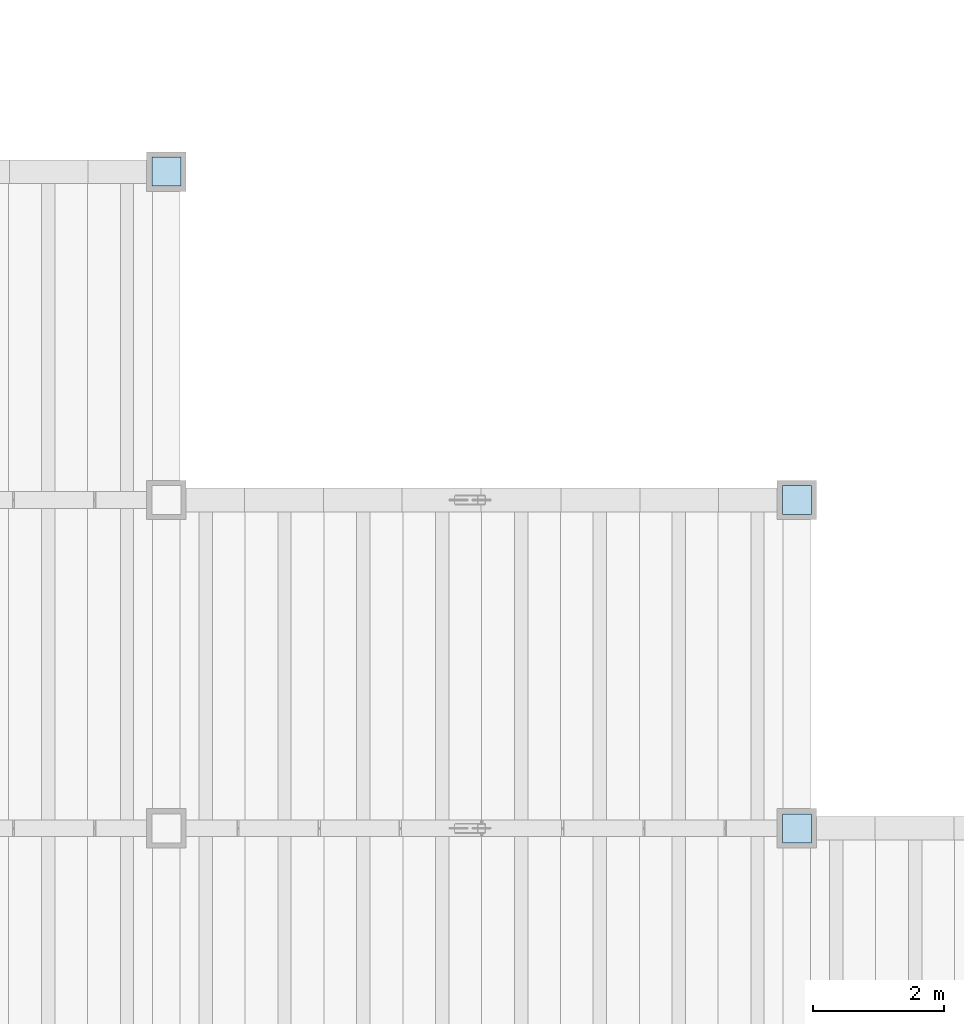
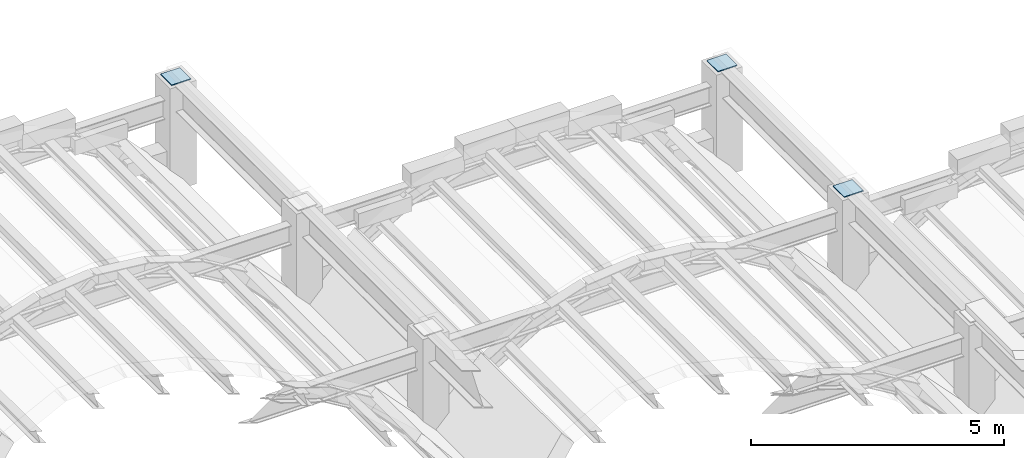
# One storey, part 66 of 70: 3 plates.
"""IFC4 building model written with IfcOpenShell, lengths in metres."""

from ifc_helpers import new_model, si_unit, direction, frame, origin, origin_2d, place, context, subcontext, project, spatial, rectangle, extrude, material, layer, layer_set, type_object, element, save


model = new_model("IFC4")

# Units and contexts
model_context = context("Model", 3, precision=1e-05, world=origin(), true_north=direction((0.0, 1.0)))
body_context = subcontext(model_context, "Body", "Model", "MODEL_VIEW")
ifc_project = project(units=[si_unit("LENGTHUNIT", "METRE"), si_unit("AREAUNIT", "SQUARE_METRE"), si_unit("VOLUMEUNIT", "CUBIC_METRE"), si_unit("PLANEANGLEUNIT", "RADIAN"), si_unit("MASSUNIT", "GRAM", prefix="KILO")], contexts=[model_context])

# Site, building, storey
site_placement = place(None, origin())
site = spatial("IfcSite", under=ifc_project, at=site_placement, CompositionType="ELEMENT")
building_placement = place(site_placement, origin())
building = spatial("IfcBuilding", under=site, at=building_placement, Name="Mavantir Sound Aquarium", CompositionType="ELEMENT")
storey_placement = place(building_placement, frame((0.0, 0.0, 27.0)))
storey = spatial("IfcBuildingStorey", under=building, at=storey_placement, Name="RF", CompositionType="ELEMENT", Elevation=27.0)

# Plates
ifc_material = material(Name="Structural Steel ASTM A572 Gr50", Category="steel")
ifc_layer = layer(ifc_material, 0.02001953125, Name="Structural Steel ASTM A572 Gr50")
ifc_layer_set = layer_set([ifc_layer], Name="Structural Steel ASTM A572 Gr50")
plate_type = type_object("IfcPlateType", Name="PLT-ENDCAP-20", PredefinedType="SHEET", material=ifc_layer_set)
for number, where, z_axis, x_axis, name in (
    (1, (146.39990234375, 75.800048828125, -4.699951171875), (0.0, 0.0, 1.0), (1.0, 0.0, 0.0), "Ridge column cap plate 5.76"),
    (2, (156.0, 65.800048828125, -4.699951171875), (0.0, 0.0, 1.0), (1.0, 0.0, 0.0), "Ridge column cap plate 6.66"),
    (3, (156.0, 70.800048828125, -4.699951171875), (0.0, 0.0, 1.0), (1.0, 0.0, 0.0), "Ridge column cap plate 6.71"),
):
    element("IfcPlate", number, at=place(storey_placement, frame(where, z_axis=z_axis, x_axis=x_axis)), inside=storey, type_object=plate_type, Name=name, PredefinedType="SHEET", context=body_context, shape_type="SweptSolid", body=[
        extrude(rectangle(XDim=0.43994140625, YDim=0.43994140625, at=origin_2d()), origin(), (0.0, 0.0, 1.0), 0.02001953125),
    ])

save(model, "model.ifc")
